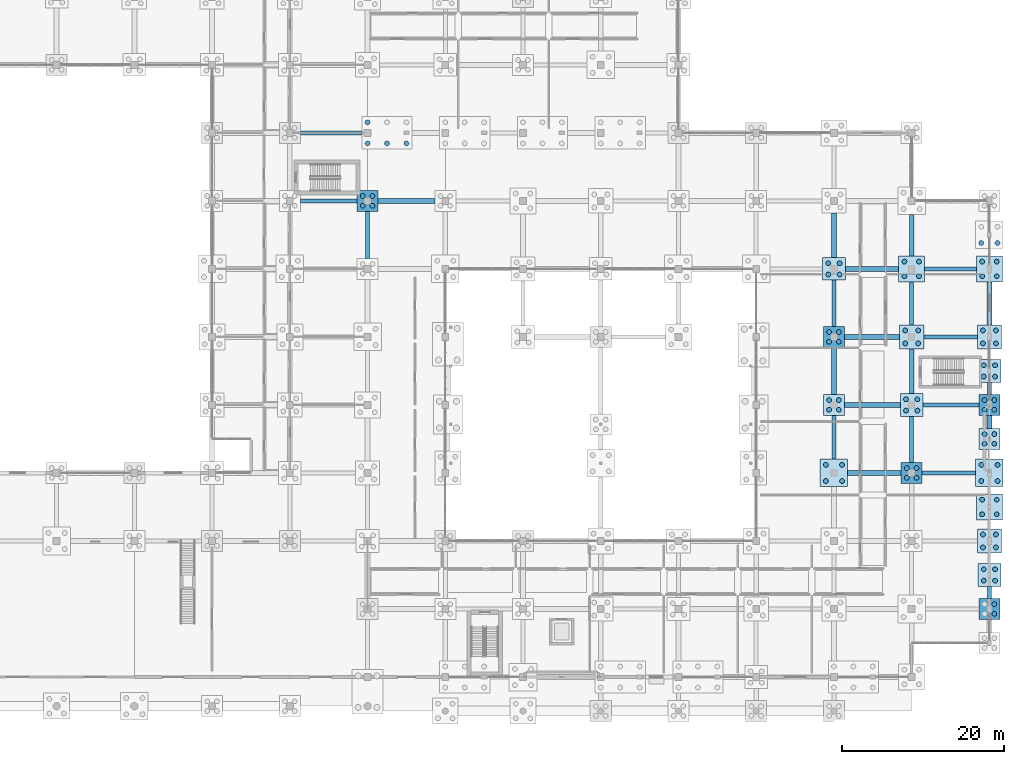
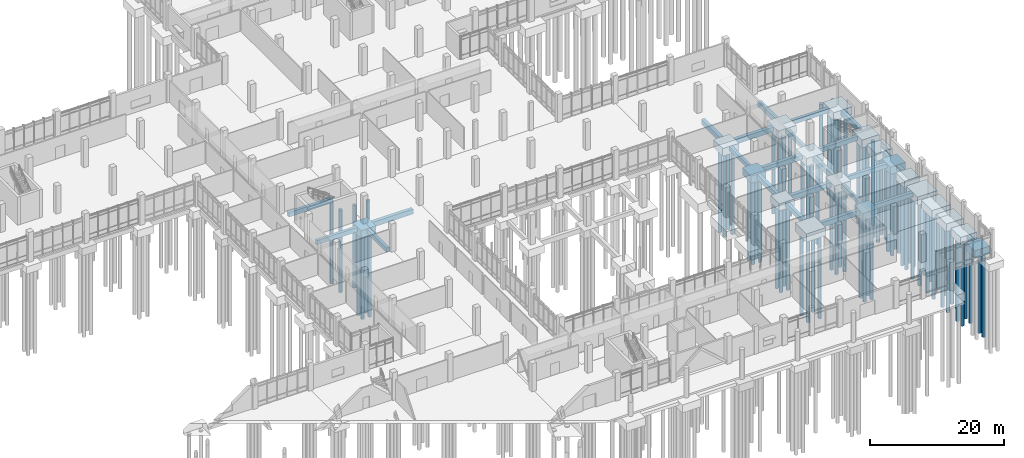
# One storey, part 14 of 136: 80 piles, 43 footings.
"""IFC4 building model written with IfcOpenShell, lengths in metres."""

import ifcopenshell
import ifcopenshell.guid

model = None  # the IFC model being written
_history = None  # IfcOwnerHistory: only IFC2X3 demands one
_inside = {}  # id of a spatial element -> (the spatial element, [elements in it])
_under = {}  # id of a project, library or spatial element -> (it, [spatial elements below it])
_declared = {}  # id of a project -> (the project, [libraries it declares])
_typed = {}  # id of a type object -> (the type object, [elements of that type])
_made_of = {}  # id of a material, layer set ... -> (it, [elements and type objects made of it])


def new_model(schema):
    """Start an empty IFC model of exactly this schema.

    Asked for "IFC4X3", IfcOpenShell would pick the latest addendum, in which some entities
    have other attributes; the version numbers below select the first issue.
    IFC2X3 requires an IfcOwnerHistory on every rooted entity: one is made here for all.
    """
    global model, _history
    if schema == "IFC4X3":
        model = ifcopenshell.file(schema_version=(4, 3, 0, 0))
    else:
        model = ifcopenshell.file(schema=schema)
    _inside.clear()
    _under.clear()
    _declared.clear()
    _typed.clear()
    _made_of.clear()
    _history = None
    if model.schema == "IFC2X3":
        org = make("IfcOrganization", Name="unknown")
        user = make(
            "IfcPersonAndOrganization",
            ThePerson=make("IfcPerson", FamilyName="unknown"),
            TheOrganization=org,
        )
        app = make(
            "IfcApplication",
            ApplicationDeveloper=org,
            Version="unknown",
            ApplicationFullName="unknown",
            ApplicationIdentifier="unknown",
        )
        _history = make(
            "IfcOwnerHistory",
            OwningUser=user,
            OwningApplication=app,
            ChangeAction="ADDED",
            CreationDate=0,
        )
    return model


def make(cls, **values):
    """One entity of the class cls with the attributes given. An attribute that is None is left unset."""
    return model.create_entity(
        cls, **{name: value for name, value in values.items() if value is not None}
    )


def rooted(cls, **values):
    """An entity with a GlobalId (a new one), such as an element, a storey or a relation."""
    return make(cls, GlobalId=ifcopenshell.guid.new(), OwnerHistory=_history, **values)


def si_unit(unit_type, name, prefix=None):
    """IfcSIUnit, for example si_unit("LENGTHUNIT", "METRE", prefix="MILLI")."""
    return make("IfcSIUnit", UnitType=unit_type, Prefix=prefix, Name=name)


def assignment(units):
    """IfcUnitAssignment: the units of a project."""
    return None if units is None else make("IfcUnitAssignment", Units=units)


def point(xyz):
    """IfcCartesianPoint."""
    return None if xyz is None else make("IfcCartesianPoint", Coordinates=xyz)


def direction(xyz):
    """IfcDirection."""
    return None if xyz is None else make("IfcDirection", DirectionRatios=xyz)


def frame(location, z_axis=None, x_axis=None):
    """IfcAxis2Placement3D, a coordinate frame: its origin and axes. An axis left out is left unset."""
    return make(
        "IfcAxis2Placement3D",
        Location=point(location),
        Axis=direction(z_axis),
        RefDirection=direction(x_axis),
    )


def frame_2d(location, x_axis=None):
    """IfcAxis2Placement2D, a coordinate frame in the plane: its origin and x axis."""
    return make(
        "IfcAxis2Placement2D", Location=point(location), RefDirection=direction(x_axis)
    )


def origin():
    """The frame at (0, 0, 0) with its axes left unset."""
    return frame((0.0, 0.0, 0.0))


def origin_2d():
    """The frame at (0, 0) in the plane with its x axis left unset."""
    return frame_2d((0.0, 0.0))


def place(relative_to, where):
    """IfcLocalPlacement: puts the frame where relative to a parent placement (None: the world)."""
    return make(
        "IfcLocalPlacement", PlacementRelTo=relative_to, RelativePlacement=where
    )


def context(
    kind, dimensions, precision=None, world=None, true_north=None, identifier=None
):
    """IfcGeometricRepresentationContext, for example the 3D "Model" context."""
    return make(
        "IfcGeometricRepresentationContext",
        ContextIdentifier=identifier,
        ContextType=kind,
        CoordinateSpaceDimension=dimensions,
        Precision=precision,
        WorldCoordinateSystem=world,
        TrueNorth=true_north,
    )


def subcontext(parent, identifier, kind, view, scale=None):
    """IfcGeometricRepresentationSubContext, for example "Body" below "Model"."""
    return make(
        "IfcGeometricRepresentationSubContext",
        ContextIdentifier=identifier,
        ContextType=kind,
        ParentContext=parent,
        TargetScale=scale,
        TargetView=view,
    )


def project(units=None, contexts=None):
    """IfcProject with its units and contexts."""
    return rooted(
        "IfcProject",
        Name="project",
        RepresentationContexts=contexts,
        UnitsInContext=assignment(units),
    )


def spatial(cls, under=None, at=None, **own):
    """A site, building, storey or space (cls), placed at a placement, below another one or the project."""
    s = rooted(cls, ObjectPlacement=at, **own)
    if under is not None:
        _under.setdefault(under.id(), (under, []))[1].append(s)
    return s


def profile(cls, at=None, kind="AREA", **sizes):
    """A parametric profile (cls). Its sizes go by their IFC names, for example OverallWidth=200.0."""
    return make(cls, ProfileType=kind, Position=at, **sizes)


def rectangle(**sizes):
    """IfcRectangleProfileDef."""
    return profile("IfcRectangleProfileDef", **sizes)


def circle(**sizes):
    """IfcCircleProfileDef."""
    return profile("IfcCircleProfileDef", **sizes)


def extrude(swept, where, along, depth):
    """IfcExtrudedAreaSolid: the profile swept, set in the frame where, extruded along a direction by depth."""
    return make(
        "IfcExtrudedAreaSolid",
        SweptArea=swept,
        Position=where,
        ExtrudedDirection=direction(along),
        Depth=depth,
    )


def shape(context_of_items, identifier, shape_type, items):
    """IfcShapeRepresentation: the items that make up one representation, for example the "Body"."""
    return make(
        "IfcShapeRepresentation",
        ContextOfItems=context_of_items,
        RepresentationIdentifier=identifier,
        RepresentationType=shape_type,
        Items=items,
    )


def material(Name=None, Category=None):
    """IfcMaterial."""
    return make("IfcMaterial", Name=Name, Category=Category)


def material_profile(
    of_material, cross_section, Name=None, Category=None, Priority=None
):
    """IfcMaterialProfile: a cross section and its material."""
    return make(
        "IfcMaterialProfile",
        Name=Name,
        Material=of_material,
        Profile=cross_section,
        Priority=Priority,
        Category=Category,
    )


def profile_set(profiles, Name=None, composite=None):
    """IfcMaterialProfileSet."""
    return make(
        "IfcMaterialProfileSet",
        Name=Name,
        MaterialProfiles=profiles,
        CompositeProfile=composite,
    )


def made_of(thing, what):
    """Note that an element or type object is made of a material, layer set ...; save() writes the relation."""
    if what is not None:
        _made_of.setdefault(what.id(), (what, []))[1].append(thing)
    return thing


def type_object(cls, material=None, **own):
    """A type object (cls), such as IfcWallType, which elements share."""
    return made_of(rooted(cls, **own), material)


def element(
    cls,
    number,
    at=None,
    inside=None,
    cuts=None,
    type_object=None,
    material=None,
    context=None,
    identifier="Body",
    shape_type=None,
    held_by="IfcProductDefinitionShape",
    body=None,
    shapes=None,
    **own,
):
    """One element of the class cls, such as IfcWall. Its Tag is "e" and its number.

    at: its placement. inside: the storey or other place that contains it. cuts: it is an
    opening in that element (IfcRelVoidsElement). A single representation is given by context,
    identifier, shape_type and body (its items); several are given by shapes. held_by: the class
    of the entity that holds the representations. save() writes the other relations.
    """
    e = rooted(cls, Tag="e%d" % number, ObjectPlacement=at, **own)
    if body is not None:
        shapes = [shape(context, identifier, shape_type, body)]
    if shapes is not None:
        e.Representation = make(held_by, Representations=shapes)
    if inside is not None:
        _inside.setdefault(inside.id(), (inside, []))[1].append(e)
    if cuts is not None:
        rooted(
            "IfcRelVoidsElement", RelatingBuildingElement=cuts, RelatedOpeningElement=e
        )
    if type_object is not None:
        _typed.setdefault(type_object.id(), (type_object, []))[1].append(e)
    return made_of(e, material)


def aggregate(whole, parts):
    """IfcRelAggregates: a whole, such as a stair, and the parts it consists of."""
    return rooted("IfcRelAggregates", RelatingObject=whole, RelatedObjects=parts)


def save(model, path):
    """Write the relations noted so far, then the file.

    IfcRelAggregates (storeys below a building ...), IfcRelContainedInSpatialStructure (elements
    in a storey), IfcRelDefinesByType, IfcRelAssociatesMaterial and IfcRelDeclares: one each for
    every whole, place, type object, material and project.
    """
    for whole, parts in _under.values():
        aggregate(whole, parts)
    for where, things in _inside.values():
        rooted(
            "IfcRelContainedInSpatialStructure",
            RelatedElements=things,
            RelatingStructure=where,
        )
    for kind, things in _typed.values():
        rooted("IfcRelDefinesByType", RelatedObjects=things, RelatingType=kind)
    for what, things in _made_of.values():
        rooted("IfcRelAssociatesMaterial", RelatedObjects=things, RelatingMaterial=what)
    for by, libraries in _declared.values():
        rooted("IfcRelDeclares", RelatingContext=by, RelatedDefinitions=libraries)
    model.write(path)


model = new_model("IFC4")

# Units and contexts
model_context = context("Model", 3, precision=1e-05, world=origin(), true_north=direction((0.0, 1.0)))
body_context = subcontext(model_context, "Body", "Model", "MODEL_VIEW")
ifc_project = project(units=[si_unit("LENGTHUNIT", "METRE"), si_unit("AREAUNIT", "SQUARE_METRE"), si_unit("VOLUMEUNIT", "CUBIC_METRE"), si_unit("PLANEANGLEUNIT", "RADIAN"), si_unit("MASSUNIT", "GRAM", prefix="KILO")], contexts=[model_context])

# Site, building, storey
site_placement = place(None, origin())
site = spatial("IfcSite", under=ifc_project, at=site_placement, CompositionType="ELEMENT")
building_placement = place(site_placement, origin())
building = spatial("IfcBuilding", under=site, at=building_placement, Name="Oolite Switchyard Hospital", CompositionType="ELEMENT")
storey_placement = place(building_placement, origin())
storey = spatial("IfcBuildingStorey", under=building, at=storey_placement, Name="L00", CompositionType="ELEMENT", Elevation=0.0)

# Footings
ifc_material = material(Name="Concrete C40/50", Category="concrete")
footing_type_1 = type_object("IfcFootingType", Name="FTG-GB500X800", PredefinedType="FOOTING_BEAM", material=ifc_material)
footing_1_placement = place(storey_placement, frame((206.199951171875, 33.60009765625, -1.14990234375), z_axis=(0.0, 0.0, 1.0), x_axis=(1.0, 0.0, 0.0)))
element("IfcFooting", 1, at=footing_1_placement, inside=storey, type_object=footing_type_1, Name="L00 Grade Beam 72", PredefinedType="FOOTING_BEAM", context=body_context, shape_type="SweptSolid", body=[
    extrude(rectangle(XDim=6.60009765625, YDim=0.5, at=origin_2d()), origin(), (0.0, 0.0, 1.0), 0.800048828125),
])
footing_2_placement = place(storey_placement, frame((206.449951171875, 42.0, -1.14990234375), z_axis=(0.0, 0.0, 1.0), x_axis=(1.0, 0.0, 0.0)))
element("IfcFooting", 2, at=footing_2_placement, inside=storey, type_object=footing_type_1, Name="L00 Grade Beam 82", PredefinedType="FOOTING_BEAM", context=body_context, shape_type="SweptSolid", body=[
    extrude(rectangle(XDim=6.89990234375, YDim=0.5, at=origin_2d()), origin(), (0.0, 0.0, 1.0), 0.800048828125),
])
footing_3_placement = place(storey_placement, frame((206.39990234375, 50.39990234375, -1.14990234375), z_axis=(0.0, 0.0, 1.0), x_axis=(1.0, 0.0, 0.0)))
element("IfcFooting", 3, at=footing_3_placement, inside=storey, type_object=footing_type_1, Name="L00 Grade Beam 94", PredefinedType="FOOTING_BEAM", context=body_context, shape_type="SweptSolid", body=[
    extrude(rectangle(XDim=6.60009765625, YDim=0.5, at=origin_2d()), origin(), (0.0, 0.0, 1.0), 0.800048828125),
])
footing_4_placement = place(storey_placement, frame((206.39990234375, 58.800048828125, -1.14990234375), z_axis=(0.0, 0.0, 1.0), x_axis=(1.0, 0.0, 0.0)))
element("IfcFooting", 4, at=footing_4_placement, inside=storey, type_object=footing_type_1, Name="L00 Grade Beam 110", PredefinedType="FOOTING_BEAM", context=body_context, shape_type="SweptSolid", body=[
    extrude(rectangle(XDim=6.39990234375, YDim=0.5, at=origin_2d()), origin(), (0.0, 0.0, 1.0), 0.800048828125),
])
footing_5_placement = place(storey_placement, frame((129.60009765625, 67.199951171875, -1.14990234375), z_axis=(0.0, 0.0, 1.0), x_axis=(1.0, 0.0, 0.0)))
element("IfcFooting", 5, at=footing_5_placement, inside=storey, type_object=footing_type_1, Name="L00 Grade Beam 118", PredefinedType="FOOTING_BEAM", context=body_context, shape_type="SweptSolid", body=[
    extrude(rectangle(XDim=7.0, YDim=0.5, at=origin_2d()), origin(), (0.0, 0.0, 1.0), 0.800048828125),
])
footing_6_placement = place(storey_placement, frame((129.89990234375, 75.60009765625, -1.14990234375), z_axis=(0.0, 0.0, 1.0), x_axis=(1.0, 0.0, 0.0)))
element("IfcFooting", 6, at=footing_6_placement, inside=storey, type_object=footing_type_1, Name="L00 Grade Beam 134", PredefinedType="FOOTING_BEAM", context=body_context, shape_type="SweptSolid", body=[
    extrude(rectangle(XDim=7.60009765625, YDim=0.5, at=origin_2d()), origin(), (0.0, 0.0, 1.0), 0.800048828125),
])
footing_7_placement = place(storey_placement, frame((134.39990234375, 63.0, -1.14990234375), z_axis=(0.0, 0.0, 1.0), x_axis=(0.0, 1.0, 0.0)))
element("IfcFooting", 7, at=footing_7_placement, inside=storey, type_object=footing_type_1, Name="L00 Grade Beam 427", PredefinedType="FOOTING_BEAM", context=body_context, shape_type="SweptSolid", body=[
    extrude(rectangle(XDim=5.800048828125, YDim=0.5, at=origin_2d()), origin(), (0.0, 0.0, 1.0), 0.800048828125),
])
footing_8_placement = place(storey_placement, frame((192.0, 38.0, -1.14990234375), z_axis=(0.0, 0.0, 1.0), x_axis=(0.0, 1.0, 0.0)))
element("IfcFooting", 8, at=footing_8_placement, inside=storey, type_object=footing_type_1, Name="L00 Grade Beam 497", PredefinedType="FOOTING_BEAM", context=body_context, shape_type="SweptSolid", body=[
    extrude(rectangle(XDim=5.39990234375, YDim=0.5, at=origin_2d()), origin(), (0.0, 0.0, 1.0), 0.800048828125),
])
for number, where, z_axis, x_axis, name in (
    (9, (192.0, 54.550048828125, -1.14990234375), (0.0, 0.0, 1.0), (0.0, 1.0, 0.0), "L00 Grade Beam 499"),
    (10, (201.60009765625, 37.75, -1.14990234375), (0.0, 0.0, 1.0), (0.0, 1.0, 0.0), "L00 Grade Beam 509"),
):
    element("IfcFooting", number, at=place(storey_placement, frame(where, z_axis=z_axis, x_axis=x_axis)), inside=storey, type_object=footing_type_1, Name=name, PredefinedType="FOOTING_BEAM", context=body_context, shape_type="SweptSolid", body=[
        extrude(rectangle(XDim=5.699951171875, YDim=0.5, at=origin_2d()), origin(), (0.0, 0.0, 1.0), 0.800048828125),
    ])
footing_9_placement = place(storey_placement, frame((201.60009765625, 54.550048828125, -1.14990234375), z_axis=(0.0, 0.0, 1.0), x_axis=(0.0, 1.0, 0.0)))
element("IfcFooting", 11, at=footing_9_placement, inside=storey, type_object=footing_type_1, Name="L00 Grade Beam 511", PredefinedType="FOOTING_BEAM", context=body_context, shape_type="SweptSolid", body=[
    extrude(rectangle(XDim=5.300048828125, YDim=0.5, at=origin_2d()), origin(), (0.0, 0.0, 1.0), 0.800048828125),
])
for number, where, z_axis, x_axis, name in (
    (12, (211.199951171875, 18.85009765625, -1.14990234375), (0.0, 0.0, 1.0), (0.0, 1.0, 0.0), "L00 Grade Beam 519"),
    (13, (211.199951171875, 44.050048828125, -1.14990234375), (0.0, 0.0, 1.0), (0.0, 1.0, 0.0), "L00 Grade Beam 521"),
):
    element("IfcFooting", number, at=place(storey_placement, frame(where, z_axis=z_axis, x_axis=x_axis)), inside=storey, type_object=footing_type_1, Name=name, PredefinedType="FOOTING_BEAM", context=body_context, shape_type="SweptSolid", body=[
        extrude(rectangle(XDim=1.5, YDim=0.5, at=origin_2d()), origin(), (0.0, 0.0, 1.0), 0.800048828125),
    ])
footing_type_2 = type_object("IfcFootingType", Name="FTG-GB600X900", PredefinedType="FOOTING_BEAM", material=ifc_material)
footing_10_placement = place(storey_placement, frame((197.0, 33.60009765625, -1.25), z_axis=(0.0, 0.0, 1.0), x_axis=(1.0, 0.0, 0.0)))
element("IfcFooting", 14, at=footing_10_placement, inside=storey, type_object=footing_type_2, Name="L00 Grade Beam 71", PredefinedType="FOOTING_BEAM", context=body_context, shape_type="SweptSolid", body=[
    extrude(rectangle(XDim=6.60009765625, YDim=0.60009765625, at=origin_2d()), origin(), (0.0, 0.0, 1.0), 0.89990234375),
])
footing_11_placement = place(storey_placement, frame((196.75, 42.0, -1.25), z_axis=(0.0, 0.0, 1.0), x_axis=(1.0, 0.0, 0.0)))
element("IfcFooting", 15, at=footing_11_placement, inside=storey, type_object=footing_type_2, Name="L00 Grade Beam 81", PredefinedType="FOOTING_BEAM", context=body_context, shape_type="SweptSolid", body=[
    extrude(rectangle(XDim=6.89990234375, YDim=0.60009765625, at=origin_2d()), origin(), (0.0, 0.0, 1.0), 0.89990234375),
])
footing_12_placement = place(storey_placement, frame((196.699951171875, 50.39990234375, -1.25), z_axis=(0.0, 0.0, 1.0), x_axis=(1.0, 0.0, 0.0)))
element("IfcFooting", 16, at=footing_12_placement, inside=storey, type_object=footing_type_2, Name="L00 Grade Beam 93", PredefinedType="FOOTING_BEAM", context=body_context, shape_type="SweptSolid", body=[
    extrude(rectangle(XDim=6.800048828125, YDim=0.60009765625, at=origin_2d()), origin(), (0.0, 0.0, 1.0), 0.89990234375),
])
footing_13_placement = place(storey_placement, frame((196.699951171875, 58.800048828125, -1.25), z_axis=(0.0, 0.0, 1.0), x_axis=(1.0, 0.0, 0.0)))
element("IfcFooting", 17, at=footing_13_placement, inside=storey, type_object=footing_type_2, Name="L00 Grade Beam 109", PredefinedType="FOOTING_BEAM", context=body_context, shape_type="SweptSolid", body=[
    extrude(rectangle(XDim=6.60009765625, YDim=0.60009765625, at=origin_2d()), origin(), (0.0, 0.0, 1.0), 0.89990234375),
])
footing_14_placement = place(storey_placement, frame((139.199951171875, 67.199951171875, -1.25), z_axis=(0.0, 0.0, 1.0), x_axis=(1.0, 0.0, 0.0)))
element("IfcFooting", 18, at=footing_14_placement, inside=storey, type_object=footing_type_2, Name="L00 Grade Beam 119", PredefinedType="FOOTING_BEAM", context=body_context, shape_type="SweptSolid", body=[
    extrude(rectangle(XDim=7.0, YDim=0.60009765625, at=origin_2d()), origin(), (0.0, 0.0, 1.0), 0.89990234375),
])
footing_15_placement = place(storey_placement, frame((192.0, 46.199951171875, -1.25), z_axis=(0.0, 0.0, 1.0), x_axis=(0.0, 1.0, 0.0)))
element("IfcFooting", 19, at=footing_15_placement, inside=storey, type_object=footing_type_2, Name="L00 Grade Beam 498", PredefinedType="FOOTING_BEAM", context=body_context, shape_type="SweptSolid", body=[
    extrude(rectangle(XDim=5.800048828125, YDim=0.60009765625, at=origin_2d()), origin(), (0.0, 0.0, 1.0), 0.89990234375),
])
for number, where, z_axis, x_axis, name in (
    (20, (192.0, 62.949951171875, -1.25), (0.0, 0.0, 1.0), (0.0, 1.0, 0.0), "L00 Grade Beam 500"),
    (21, (201.60009765625, 46.14990234375, -1.25), (0.0, 0.0, 1.0), (0.0, 1.0, 0.0), "L00 Grade Beam 510"),
):
    element("IfcFooting", number, at=place(storey_placement, frame(where, z_axis=z_axis, x_axis=x_axis)), inside=storey, type_object=footing_type_2, Name=name, PredefinedType="FOOTING_BEAM", context=body_context, shape_type="SweptSolid", body=[
        extrude(rectangle(XDim=5.5, YDim=0.60009765625, at=origin_2d()), origin(), (0.0, 0.0, 1.0), 0.89990234375),
    ])
footing_16_placement = place(storey_placement, frame((201.60009765625, 62.949951171875, -1.25), z_axis=(0.0, 0.0, 1.0), x_axis=(0.0, 1.0, 0.0)))
element("IfcFooting", 22, at=footing_16_placement, inside=storey, type_object=footing_type_2, Name="L00 Grade Beam 512", PredefinedType="FOOTING_BEAM", context=body_context, shape_type="SweptSolid", body=[
    extrude(rectangle(XDim=5.10009765625, YDim=0.60009765625, at=origin_2d()), origin(), (0.0, 0.0, 1.0), 0.89990234375),
])
footing_17_placement = place(storey_placement, frame((211.199951171875, 39.89990234375, -1.25), z_axis=(0.0, 0.0, 1.0), x_axis=(0.0, 1.0, 0.0)))
element("IfcFooting", 23, at=footing_17_placement, inside=storey, type_object=footing_type_2, Name="L00 Grade Beam 520", PredefinedType="FOOTING_BEAM", context=body_context, shape_type="SweptSolid", body=[
    extrude(rectangle(XDim=1.60009765625, YDim=0.60009765625, at=origin_2d()), origin(), (0.0, 0.0, 1.0), 0.89990234375),
])
footing_18_placement = place(storey_placement, frame((211.199951171875, 54.550048828125, -1.25), z_axis=(0.0, 0.0, 1.0), x_axis=(0.0, 1.0, 0.0)))
element("IfcFooting", 24, at=footing_18_placement, inside=storey, type_object=footing_type_2, Name="L00 Grade Beam 522", PredefinedType="FOOTING_BEAM", context=body_context, shape_type="SweptSolid", body=[
    extrude(rectangle(XDim=5.300048828125, YDim=0.60009765625, at=origin_2d()), origin(), (0.0, 0.0, 1.0), 0.89990234375),
])
footing_type_3 = type_object("IfcFootingType", Name="FTG-PC24", PredefinedType="PILE_CAP", material=ifc_material)
for number, where, z_axis, x_axis, name in (
    (25, (192.0, 42.0, -1.64990234375), (0.0, 0.0, 1.0), (1.0, 0.0, 0.0), "L00 Multi-Pile Cap 287"),
    (26, (211.199951171875, 37.800048828125, -1.64990234375), (0.0, 0.0, 1.0), (1.0, 0.0, 0.0), "L00 Multi-Pile Cap 317"),
):
    element("IfcFooting", number, at=place(storey_placement, frame(where, z_axis=z_axis, x_axis=x_axis)), inside=storey, type_object=footing_type_3, Name=name, PredefinedType="PILE_CAP", context=body_context, shape_type="SweptSolid", body=[
        extrude(rectangle(XDim=2.60009765625, YDim=2.60009765625, at=origin_2d()), origin(), (0.0, 0.0, 1.0), 1.300048828125),
    ])
footing_type_4 = type_object("IfcFootingType", Name="FTG-PC26", PredefinedType="PILE_CAP", material=ifc_material)
for number, where, z_axis, x_axis, name in (
    (27, (134.39990234375, 67.199951171875, -1.699951171875), (0.0, 0.0, 1.0), (1.0, 0.0, 0.0), "L00 Multi-Pile Cap 194"),
    (28, (192.0, 50.39990234375, -1.699951171875), (0.0, 0.0, 1.0), (1.0, 0.0, 0.0), "L00 Multi-Pile Cap 288"),
    (29, (201.60009765625, 33.60009765625, -1.699951171875), (0.0, 0.0, 1.0), (1.0, 0.0, 0.0), "L00 Multi-Pile Cap 300"),
    (30, (211.199951171875, 16.800048828125, -1.699951171875), (0.0, 0.0, 1.0), (1.0, 0.0, 0.0), "L00 Multi-Pile Cap 312"),
    (31, (211.199951171875, 42.0, -1.699951171875), (0.0, 0.0, 1.0), (1.0, 0.0, 0.0), "L00 Multi-Pile Cap 318"),
):
    element("IfcFooting", number, at=place(storey_placement, frame(where, z_axis=z_axis, x_axis=x_axis)), inside=storey, type_object=footing_type_4, Name=name, PredefinedType="PILE_CAP", context=body_context, shape_type="SweptSolid", body=[
        extrude(rectangle(XDim=2.60009765625, YDim=2.60009765625, at=origin_2d()), origin(), (0.0, 0.0, 1.0), 1.35009765625),
    ])
footing_type_5 = type_object("IfcFootingType", Name="FTG-PC28", PredefinedType="PILE_CAP", material=ifc_material)
for number, where, z_axis, x_axis, name in (
    (32, (192.0, 58.800048828125, -1.75), (0.0, 0.0, 1.0), (1.0, 0.0, 0.0), "L00 Multi-Pile Cap 289"),
    (33, (201.60009765625, 42.0, -1.75), (0.0, 0.0, 1.0), (1.0, 0.0, 0.0), "L00 Multi-Pile Cap 301"),
    (34, (211.199951171875, 21.0, -1.75), (0.0, 0.0, 1.0), (1.0, 0.0, 0.0), "L00 Multi-Pile Cap 313"),
    (35, (211.199951171875, 46.199951171875, -1.75), (0.0, 0.0, 1.0), (1.0, 0.0, 0.0), "L00 Multi-Pile Cap 319"),
):
    element("IfcFooting", number, at=place(storey_placement, frame(where, z_axis=z_axis, x_axis=x_axis)), inside=storey, type_object=footing_type_5, Name=name, PredefinedType="PILE_CAP", context=body_context, shape_type="SweptSolid", body=[
        extrude(rectangle(XDim=2.800048828125, YDim=2.800048828125, at=origin_2d()), origin(), (0.0, 0.0, 1.0), 1.39990234375),
    ])
footing_type_6 = type_object("IfcFootingType", Name="FTG-PC30", PredefinedType="PILE_CAP", material=ifc_material)
for number, where, z_axis, x_axis, name in (
    (36, (201.60009765625, 50.39990234375, -1.77001953125), (0.0, 0.0, 1.0), (1.0, 0.0, 0.0), "L00 Multi-Pile Cap 302"),
    (37, (211.199951171875, 25.199951171875, -1.77001953125), (0.0, 0.0, 1.0), (1.0, 0.0, 0.0), "L00 Multi-Pile Cap 314"),
    (38, (211.199951171875, 50.39990234375, -1.77001953125), (0.0, 0.0, 1.0), (1.0, 0.0, 0.0), "L00 Multi-Pile Cap 320"),
):
    element("IfcFooting", number, at=place(storey_placement, frame(where, z_axis=z_axis, x_axis=x_axis)), inside=storey, type_object=footing_type_6, Name=name, PredefinedType="PILE_CAP", context=body_context, shape_type="SweptSolid", body=[
        extrude(rectangle(XDim=3.0, YDim=3.0, at=origin_2d()), origin(), (0.0, 0.0, 1.0), 1.419921875),
    ])
footing_type_7 = type_object("IfcFootingType", Name="FTG-PC32", PredefinedType="PILE_CAP", material=ifc_material)
for number, where, z_axis, x_axis, name in (
    (39, (201.60009765625, 58.800048828125, -1.7998046875), (0.0, 0.0, 1.0), (1.0, 0.0, 0.0), "L00 Multi-Pile Cap 303"),
    (40, (211.199951171875, 29.39990234375, -1.7998046875), (0.0, 0.0, 1.0), (1.0, 0.0, 0.0), "L00 Multi-Pile Cap 315"),
    (41, (211.199951171875, 58.800048828125, -1.7998046875), (0.0, 0.0, 1.0), (1.0, 0.0, 0.0), "L00 Multi-Pile Cap 321"),
):
    element("IfcFooting", number, at=place(storey_placement, frame(where, z_axis=z_axis, x_axis=x_axis)), inside=storey, type_object=footing_type_7, Name=name, PredefinedType="PILE_CAP", context=body_context, shape_type="SweptSolid", body=[
        extrude(rectangle(XDim=3.199951171875, YDim=3.199951171875, at=origin_2d()), origin(), (0.0, 0.0, 1.0), 1.449951171875),
    ])
footing_type_8 = type_object("IfcFootingType", Name="FTG-PC34", PredefinedType="PILE_CAP", material=ifc_material)
for number, where, z_axis, x_axis, name in (
    (42, (192.0, 33.60009765625, -1.85009765625), (0.0, 0.0, 1.0), (1.0, 0.0, 0.0), "L00 Multi-Pile Cap 286"),
    (43, (211.199951171875, 33.60009765625, -1.85009765625), (0.0, 0.0, 1.0), (1.0, 0.0, 0.0), "L00 Multi-Pile Cap 316"),
):
    element("IfcFooting", number, at=place(storey_placement, frame(where, z_axis=z_axis, x_axis=x_axis)), inside=storey, type_object=footing_type_8, Name=name, PredefinedType="PILE_CAP", context=body_context, shape_type="SweptSolid", body=[
        extrude(rectangle(XDim=3.39990234375, YDim=3.39990234375, at=origin_2d()), origin(), (0.0, 0.0, 1.0), 1.5),
    ])

# Piles
ifc_material_profile = material_profile(ifc_material, circle(Radius=0.300048828125, at=origin_2d()), Name="PILE600")
ifc_profile_set = profile_set([ifc_material_profile], Name="Concrete C40/50")
pile_type = type_object("IfcPileType", Name="PILE-ACIP600", PredefinedType="BORED", material=ifc_profile_set)
for number, where, z_axis, x_axis, name in (
    (44, (133.800048828125, 66.60009765625, -1.550048828125), (0.0, 0.0, -1.0), (1.0, 0.0, 0.0), "Augercast Pile 773"),
    (45, (135.0, 66.60009765625, -1.550048828125), (0.0, 0.0, -1.0), (1.0, 0.0, 0.0), "Augercast Pile 774"),
    (46, (133.800048828125, 67.800048828125, -1.550048828125), (0.0, 0.0, -1.0), (1.0, 0.0, 0.0), "Augercast Pile 775"),
    (47, (135.0, 67.800048828125, -1.550048828125), (0.0, 0.0, -1.0), (1.0, 0.0, 0.0), "Augercast Pile 776"),
):
    element("IfcPile", number, at=place(storey_placement, frame(where, z_axis=z_axis, x_axis=x_axis)), inside=storey, type_object=pile_type, Name=name, PredefinedType="BORED", context=body_context, shape_type="SweptSolid", body=[
        extrude(circle(Radius=0.300048828125, at=origin_2d()), origin(), (0.0, 0.0, 1.0), 15.449951171875),
    ])
for number, where, z_axis, x_axis, name in (
    (48, (134.39990234375, 74.300048828125, -1.949951171875), (0.0, 0.0, -1.0), (1.0, 0.0, 0.0), "Augercast Pile 777"),
    (49, (136.800048828125, 74.300048828125, -1.949951171875), (0.0, 0.0, -1.0), (1.0, 0.0, 0.0), "Augercast Pile 778"),
    (50, (139.199951171875, 74.300048828125, -1.949951171875), (0.0, 0.0, -1.0), (1.0, 0.0, 0.0), "Augercast Pile 779"),
    (51, (134.39990234375, 76.89990234375, -1.949951171875), (0.0, 0.0, -1.0), (1.0, 0.0, 0.0), "Augercast Pile 780"),
):
    element("IfcPile", number, at=place(storey_placement, frame(where, z_axis=z_axis, x_axis=x_axis)), inside=storey, type_object=pile_type, Name=name, PredefinedType="BORED", context=body_context, shape_type="SweptSolid", body=[
        extrude(circle(Radius=0.300048828125, at=origin_2d()), origin(), (0.0, 0.0, 1.0), 15.050048828125),
    ])
for number, where, z_axis, x_axis, name in (
    (52, (191.0, 32.60009765625, -1.699951171875), (0.0, 0.0, -1.0), (1.0, 0.0, 0.0), "Augercast Pile 1157"),
    (53, (193.0, 32.60009765625, -1.699951171875), (0.0, 0.0, -1.0), (1.0, 0.0, 0.0), "Augercast Pile 1158"),
    (54, (191.0, 34.60009765625, -1.699951171875), (0.0, 0.0, -1.0), (1.0, 0.0, 0.0), "Augercast Pile 1159"),
    (55, (193.0, 34.60009765625, -1.699951171875), (0.0, 0.0, -1.0), (1.0, 0.0, 0.0), "Augercast Pile 1160"),
):
    element("IfcPile", number, at=place(storey_placement, frame(where, z_axis=z_axis, x_axis=x_axis)), inside=storey, type_object=pile_type, Name=name, PredefinedType="BORED", context=body_context, shape_type="SweptSolid", body=[
        extrude(circle(Radius=0.300048828125, at=origin_2d()), origin(), (0.0, 0.0, 1.0), 15.300048828125),
    ])
for number, where, z_axis, x_axis, name in (
    (56, (191.39990234375, 41.39990234375, -1.5), (0.0, 0.0, -1.0), (1.0, 0.0, 0.0), "Augercast Pile 1161"),
    (57, (192.60009765625, 41.39990234375, -1.5), (0.0, 0.0, -1.0), (1.0, 0.0, 0.0), "Augercast Pile 1162"),
    (58, (191.39990234375, 42.60009765625, -1.5), (0.0, 0.0, -1.0), (1.0, 0.0, 0.0), "Augercast Pile 1163"),
    (59, (192.60009765625, 42.60009765625, -1.5), (0.0, 0.0, -1.0), (1.0, 0.0, 0.0), "Augercast Pile 1164"),
):
    element("IfcPile", number, at=place(storey_placement, frame(where, z_axis=z_axis, x_axis=x_axis)), inside=storey, type_object=pile_type, Name=name, PredefinedType="BORED", context=body_context, shape_type="SweptSolid", body=[
        extrude(circle(Radius=0.300048828125, at=origin_2d()), origin(), (0.0, 0.0, 1.0), 15.5),
    ])
for number, where, z_axis, x_axis, name in (
    (60, (191.39990234375, 49.800048828125, -1.550048828125), (0.0, 0.0, -1.0), (1.0, 0.0, 0.0), "Augercast Pile 1165"),
    (61, (192.60009765625, 49.800048828125, -1.550048828125), (0.0, 0.0, -1.0), (1.0, 0.0, 0.0), "Augercast Pile 1166"),
    (62, (191.39990234375, 51.0, -1.550048828125), (0.0, 0.0, -1.0), (1.0, 0.0, 0.0), "Augercast Pile 1167"),
    (63, (192.60009765625, 51.0, -1.550048828125), (0.0, 0.0, -1.0), (1.0, 0.0, 0.0), "Augercast Pile 1168"),
):
    element("IfcPile", number, at=place(storey_placement, frame(where, z_axis=z_axis, x_axis=x_axis)), inside=storey, type_object=pile_type, Name=name, PredefinedType="BORED", context=body_context, shape_type="SweptSolid", body=[
        extrude(circle(Radius=0.300048828125, at=origin_2d()), origin(), (0.0, 0.0, 1.0), 15.449951171875),
    ])
for number, where, z_axis, x_axis, name in (
    (64, (191.300048828125, 58.10009765625, -1.60009765625), (0.0, 0.0, -1.0), (1.0, 0.0, 0.0), "Augercast Pile 1169"),
    (65, (192.699951171875, 58.10009765625, -1.60009765625), (0.0, 0.0, -1.0), (1.0, 0.0, 0.0), "Augercast Pile 1170"),
    (66, (191.300048828125, 59.5, -1.60009765625), (0.0, 0.0, -1.0), (1.0, 0.0, 0.0), "Augercast Pile 1171"),
    (67, (192.699951171875, 59.5, -1.60009765625), (0.0, 0.0, -1.0), (1.0, 0.0, 0.0), "Augercast Pile 1172"),
):
    element("IfcPile", number, at=place(storey_placement, frame(where, z_axis=z_axis, x_axis=x_axis)), inside=storey, type_object=pile_type, Name=name, PredefinedType="BORED", context=body_context, shape_type="SweptSolid", body=[
        extrude(circle(Radius=0.300048828125, at=origin_2d()), origin(), (0.0, 0.0, 1.0), 15.39990234375),
    ])
for number, where, z_axis, x_axis, name in (
    (68, (201.0, 33.0, -1.550048828125), (0.0, 0.0, -1.0), (1.0, 0.0, 0.0), "Augercast Pile 1213"),
    (69, (202.199951171875, 33.0, -1.550048828125), (0.0, 0.0, -1.0), (1.0, 0.0, 0.0), "Augercast Pile 1214"),
    (70, (201.0, 34.199951171875, -1.550048828125), (0.0, 0.0, -1.0), (1.0, 0.0, 0.0), "Augercast Pile 1215"),
    (71, (202.199951171875, 34.199951171875, -1.550048828125), (0.0, 0.0, -1.0), (1.0, 0.0, 0.0), "Augercast Pile 1216"),
):
    element("IfcPile", number, at=place(storey_placement, frame(where, z_axis=z_axis, x_axis=x_axis)), inside=storey, type_object=pile_type, Name=name, PredefinedType="BORED", context=body_context, shape_type="SweptSolid", body=[
        extrude(circle(Radius=0.300048828125, at=origin_2d()), origin(), (0.0, 0.0, 1.0), 15.449951171875),
    ])
for number, where, z_axis, x_axis, name in (
    (72, (200.89990234375, 41.300048828125, -1.60009765625), (0.0, 0.0, -1.0), (1.0, 0.0, 0.0), "Augercast Pile 1217"),
    (73, (202.300048828125, 41.300048828125, -1.60009765625), (0.0, 0.0, -1.0), (1.0, 0.0, 0.0), "Augercast Pile 1218"),
    (74, (200.89990234375, 42.699951171875, -1.60009765625), (0.0, 0.0, -1.0), (1.0, 0.0, 0.0), "Augercast Pile 1219"),
    (75, (202.300048828125, 42.699951171875, -1.60009765625), (0.0, 0.0, -1.0), (1.0, 0.0, 0.0), "Augercast Pile 1220"),
):
    element("IfcPile", number, at=place(storey_placement, frame(where, z_axis=z_axis, x_axis=x_axis)), inside=storey, type_object=pile_type, Name=name, PredefinedType="BORED", context=body_context, shape_type="SweptSolid", body=[
        extrude(circle(Radius=0.300048828125, at=origin_2d()), origin(), (0.0, 0.0, 1.0), 15.39990234375),
    ])
for number, where, z_axis, x_axis, name in (
    (76, (200.800048828125, 49.60009765625, -1.6201171875), (0.0, 0.0, -1.0), (1.0, 0.0, 0.0), "Augercast Pile 1221"),
    (77, (202.39990234375, 49.60009765625, -1.6201171875), (0.0, 0.0, -1.0), (1.0, 0.0, 0.0), "Augercast Pile 1222"),
    (78, (200.800048828125, 51.199951171875, -1.6201171875), (0.0, 0.0, -1.0), (1.0, 0.0, 0.0), "Augercast Pile 1223"),
    (79, (202.39990234375, 51.199951171875, -1.6201171875), (0.0, 0.0, -1.0), (1.0, 0.0, 0.0), "Augercast Pile 1224"),
):
    element("IfcPile", number, at=place(storey_placement, frame(where, z_axis=z_axis, x_axis=x_axis)), inside=storey, type_object=pile_type, Name=name, PredefinedType="BORED", context=body_context, shape_type="SweptSolid", body=[
        extrude(circle(Radius=0.300048828125, at=origin_2d()), origin(), (0.0, 0.0, 1.0), 15.3798828125),
    ])
for number, where, z_axis, x_axis, name in (
    (80, (200.699951171875, 57.89990234375, -1.64990234375), (0.0, 0.0, -1.0), (1.0, 0.0, 0.0), "Augercast Pile 1225"),
    (81, (202.5, 57.89990234375, -1.64990234375), (0.0, 0.0, -1.0), (1.0, 0.0, 0.0), "Augercast Pile 1226"),
    (82, (200.699951171875, 59.699951171875, -1.64990234375), (0.0, 0.0, -1.0), (1.0, 0.0, 0.0), "Augercast Pile 1227"),
    (83, (202.5, 59.699951171875, -1.64990234375), (0.0, 0.0, -1.0), (1.0, 0.0, 0.0), "Augercast Pile 1228"),
):
    element("IfcPile", number, at=place(storey_placement, frame(where, z_axis=z_axis, x_axis=x_axis)), inside=storey, type_object=pile_type, Name=name, PredefinedType="BORED", context=body_context, shape_type="SweptSolid", body=[
        extrude(circle(Radius=0.300048828125, at=origin_2d()), origin(), (0.0, 0.0, 1.0), 15.35009765625),
    ])
for number, where, z_axis, x_axis, name in (
    (84, (211.800048828125, 16.199951171875, -1.550048828125), (0.0, 0.0, -1.0), (1.0, 0.0, 0.0), "Augercast Pile 1262"),
    (85, (211.800048828125, 17.39990234375, -1.550048828125), (0.0, 0.0, -1.0), (1.0, 0.0, 0.0), "Augercast Pile 1264"),
):
    element("IfcPile", number, at=place(storey_placement, frame(where, z_axis=z_axis, x_axis=x_axis)), inside=storey, type_object=pile_type, Name=name, PredefinedType="BORED", context=body_context, shape_type="SweptSolid", body=[
        extrude(circle(Radius=0.300048828125, at=origin_2d()), origin(), (0.0, 0.0, 1.0), 15.449951171875),
    ])
for number, where, z_axis, x_axis, name in (
    (86, (210.5, 20.300048828125, -1.60009765625), (0.0, 0.0, -1.0), (1.0, 0.0, 0.0), "Augercast Pile 1265"),
    (87, (211.89990234375, 20.300048828125, -1.60009765625), (0.0, 0.0, -1.0), (1.0, 0.0, 0.0), "Augercast Pile 1266"),
    (88, (210.5, 21.699951171875, -1.60009765625), (0.0, 0.0, -1.0), (1.0, 0.0, 0.0), "Augercast Pile 1267"),
    (89, (211.89990234375, 21.699951171875, -1.60009765625), (0.0, 0.0, -1.0), (1.0, 0.0, 0.0), "Augercast Pile 1268"),
):
    element("IfcPile", number, at=place(storey_placement, frame(where, z_axis=z_axis, x_axis=x_axis)), inside=storey, type_object=pile_type, Name=name, PredefinedType="BORED", context=body_context, shape_type="SweptSolid", body=[
        extrude(circle(Radius=0.300048828125, at=origin_2d()), origin(), (0.0, 0.0, 1.0), 15.39990234375),
    ])
for number, where, z_axis, x_axis, name in (
    (90, (210.39990234375, 24.39990234375, -1.6201171875), (0.0, 0.0, -1.0), (1.0, 0.0, 0.0), "Augercast Pile 1269"),
    (91, (212.0, 24.39990234375, -1.6201171875), (0.0, 0.0, -1.0), (1.0, 0.0, 0.0), "Augercast Pile 1270"),
    (92, (210.39990234375, 26.0, -1.6201171875), (0.0, 0.0, -1.0), (1.0, 0.0, 0.0), "Augercast Pile 1271"),
    (93, (212.0, 26.0, -1.6201171875), (0.0, 0.0, -1.0), (1.0, 0.0, 0.0), "Augercast Pile 1272"),
):
    element("IfcPile", number, at=place(storey_placement, frame(where, z_axis=z_axis, x_axis=x_axis)), inside=storey, type_object=pile_type, Name=name, PredefinedType="BORED", context=body_context, shape_type="SweptSolid", body=[
        extrude(circle(Radius=0.300048828125, at=origin_2d()), origin(), (0.0, 0.0, 1.0), 15.3798828125),
    ])
for number, where, z_axis, x_axis, name in (
    (94, (210.300048828125, 28.5, -1.64990234375), (0.0, 0.0, -1.0), (1.0, 0.0, 0.0), "Augercast Pile 1273"),
    (95, (212.10009765625, 28.5, -1.64990234375), (0.0, 0.0, -1.0), (1.0, 0.0, 0.0), "Augercast Pile 1274"),
    (96, (210.300048828125, 30.300048828125, -1.64990234375), (0.0, 0.0, -1.0), (1.0, 0.0, 0.0), "Augercast Pile 1275"),
    (97, (212.10009765625, 30.300048828125, -1.64990234375), (0.0, 0.0, -1.0), (1.0, 0.0, 0.0), "Augercast Pile 1276"),
):
    element("IfcPile", number, at=place(storey_placement, frame(where, z_axis=z_axis, x_axis=x_axis)), inside=storey, type_object=pile_type, Name=name, PredefinedType="BORED", context=body_context, shape_type="SweptSolid", body=[
        extrude(circle(Radius=0.300048828125, at=origin_2d()), origin(), (0.0, 0.0, 1.0), 15.35009765625),
    ])
for number, where, z_axis, x_axis, name in (
    (98, (210.199951171875, 32.60009765625, -1.699951171875), (0.0, 0.0, -1.0), (1.0, 0.0, 0.0), "Augercast Pile 1277"),
    (99, (212.199951171875, 32.60009765625, -1.699951171875), (0.0, 0.0, -1.0), (1.0, 0.0, 0.0), "Augercast Pile 1278"),
    (100, (210.199951171875, 34.60009765625, -1.699951171875), (0.0, 0.0, -1.0), (1.0, 0.0, 0.0), "Augercast Pile 1279"),
    (101, (212.199951171875, 34.60009765625, -1.699951171875), (0.0, 0.0, -1.0), (1.0, 0.0, 0.0), "Augercast Pile 1280"),
):
    element("IfcPile", number, at=place(storey_placement, frame(where, z_axis=z_axis, x_axis=x_axis)), inside=storey, type_object=pile_type, Name=name, PredefinedType="BORED", context=body_context, shape_type="SweptSolid", body=[
        extrude(circle(Radius=0.300048828125, at=origin_2d()), origin(), (0.0, 0.0, 1.0), 15.300048828125),
    ])
for number, where, z_axis, x_axis, name in (
    (102, (210.60009765625, 37.199951171875, -1.5), (0.0, 0.0, -1.0), (1.0, 0.0, 0.0), "Augercast Pile 1281"),
    (103, (211.800048828125, 37.199951171875, -1.5), (0.0, 0.0, -1.0), (1.0, 0.0, 0.0), "Augercast Pile 1282"),
    (104, (210.60009765625, 38.39990234375, -1.5), (0.0, 0.0, -1.0), (1.0, 0.0, 0.0), "Augercast Pile 1283"),
    (105, (211.800048828125, 38.39990234375, -1.5), (0.0, 0.0, -1.0), (1.0, 0.0, 0.0), "Augercast Pile 1284"),
):
    element("IfcPile", number, at=place(storey_placement, frame(where, z_axis=z_axis, x_axis=x_axis)), inside=storey, type_object=pile_type, Name=name, PredefinedType="BORED", context=body_context, shape_type="SweptSolid", body=[
        extrude(circle(Radius=0.300048828125, at=origin_2d()), origin(), (0.0, 0.0, 1.0), 15.5),
    ])
for number, where, z_axis, x_axis, name in (
    (106, (210.60009765625, 41.39990234375, -1.550048828125), (0.0, 0.0, -1.0), (1.0, 0.0, 0.0), "Augercast Pile 1285"),
    (107, (211.800048828125, 41.39990234375, -1.550048828125), (0.0, 0.0, -1.0), (1.0, 0.0, 0.0), "Augercast Pile 1286"),
    (108, (210.60009765625, 42.60009765625, -1.550048828125), (0.0, 0.0, -1.0), (1.0, 0.0, 0.0), "Augercast Pile 1287"),
    (109, (211.800048828125, 42.60009765625, -1.550048828125), (0.0, 0.0, -1.0), (1.0, 0.0, 0.0), "Augercast Pile 1288"),
):
    element("IfcPile", number, at=place(storey_placement, frame(where, z_axis=z_axis, x_axis=x_axis)), inside=storey, type_object=pile_type, Name=name, PredefinedType="BORED", context=body_context, shape_type="SweptSolid", body=[
        extrude(circle(Radius=0.300048828125, at=origin_2d()), origin(), (0.0, 0.0, 1.0), 15.449951171875),
    ])
for number, where, z_axis, x_axis, name in (
    (110, (210.5, 45.5, -1.60009765625), (0.0, 0.0, -1.0), (1.0, 0.0, 0.0), "Augercast Pile 1289"),
    (111, (211.89990234375, 45.5, -1.60009765625), (0.0, 0.0, -1.0), (1.0, 0.0, 0.0), "Augercast Pile 1290"),
    (112, (210.5, 46.89990234375, -1.60009765625), (0.0, 0.0, -1.0), (1.0, 0.0, 0.0), "Augercast Pile 1291"),
    (113, (211.89990234375, 46.89990234375, -1.60009765625), (0.0, 0.0, -1.0), (1.0, 0.0, 0.0), "Augercast Pile 1292"),
):
    element("IfcPile", number, at=place(storey_placement, frame(where, z_axis=z_axis, x_axis=x_axis)), inside=storey, type_object=pile_type, Name=name, PredefinedType="BORED", context=body_context, shape_type="SweptSolid", body=[
        extrude(circle(Radius=0.300048828125, at=origin_2d()), origin(), (0.0, 0.0, 1.0), 15.39990234375),
    ])
for number, where, z_axis, x_axis, name in (
    (114, (210.39990234375, 49.60009765625, -1.6201171875), (0.0, 0.0, -1.0), (1.0, 0.0, 0.0), "Augercast Pile 1293"),
    (115, (212.0, 49.60009765625, -1.6201171875), (0.0, 0.0, -1.0), (1.0, 0.0, 0.0), "Augercast Pile 1294"),
    (116, (210.39990234375, 51.199951171875, -1.6201171875), (0.0, 0.0, -1.0), (1.0, 0.0, 0.0), "Augercast Pile 1295"),
    (117, (212.0, 51.199951171875, -1.6201171875), (0.0, 0.0, -1.0), (1.0, 0.0, 0.0), "Augercast Pile 1296"),
):
    element("IfcPile", number, at=place(storey_placement, frame(where, z_axis=z_axis, x_axis=x_axis)), inside=storey, type_object=pile_type, Name=name, PredefinedType="BORED", context=body_context, shape_type="SweptSolid", body=[
        extrude(circle(Radius=0.300048828125, at=origin_2d()), origin(), (0.0, 0.0, 1.0), 15.3798828125),
    ])
for number, where, z_axis, x_axis, name in (
    (118, (210.300048828125, 57.89990234375, -1.64990234375), (0.0, 0.0, -1.0), (1.0, 0.0, 0.0), "Augercast Pile 1297"),
    (119, (212.10009765625, 57.89990234375, -1.64990234375), (0.0, 0.0, -1.0), (1.0, 0.0, 0.0), "Augercast Pile 1298"),
    (120, (210.300048828125, 59.699951171875, -1.64990234375), (0.0, 0.0, -1.0), (1.0, 0.0, 0.0), "Augercast Pile 1299"),
    (121, (212.10009765625, 59.699951171875, -1.64990234375), (0.0, 0.0, -1.0), (1.0, 0.0, 0.0), "Augercast Pile 1300"),
):
    element("IfcPile", number, at=place(storey_placement, frame(where, z_axis=z_axis, x_axis=x_axis)), inside=storey, type_object=pile_type, Name=name, PredefinedType="BORED", context=body_context, shape_type="SweptSolid", body=[
        extrude(circle(Radius=0.300048828125, at=origin_2d()), origin(), (0.0, 0.0, 1.0), 15.35009765625),
    ])
for number, where, z_axis, x_axis, name in (
    (122, (210.199951171875, 62.0, -1.699951171875), (0.0, 0.0, -1.0), (1.0, 0.0, 0.0), "Augercast Pile 1301"),
    (123, (212.199951171875, 62.0, -1.699951171875), (0.0, 0.0, -1.0), (1.0, 0.0, 0.0), "Augercast Pile 1302"),
):
    element("IfcPile", number, at=place(storey_placement, frame(where, z_axis=z_axis, x_axis=x_axis)), inside=storey, type_object=pile_type, Name=name, PredefinedType="BORED", context=body_context, shape_type="SweptSolid", body=[
        extrude(circle(Radius=0.300048828125, at=origin_2d()), origin(), (0.0, 0.0, 1.0), 15.300048828125),
    ])

save(model, "model.ifc")
